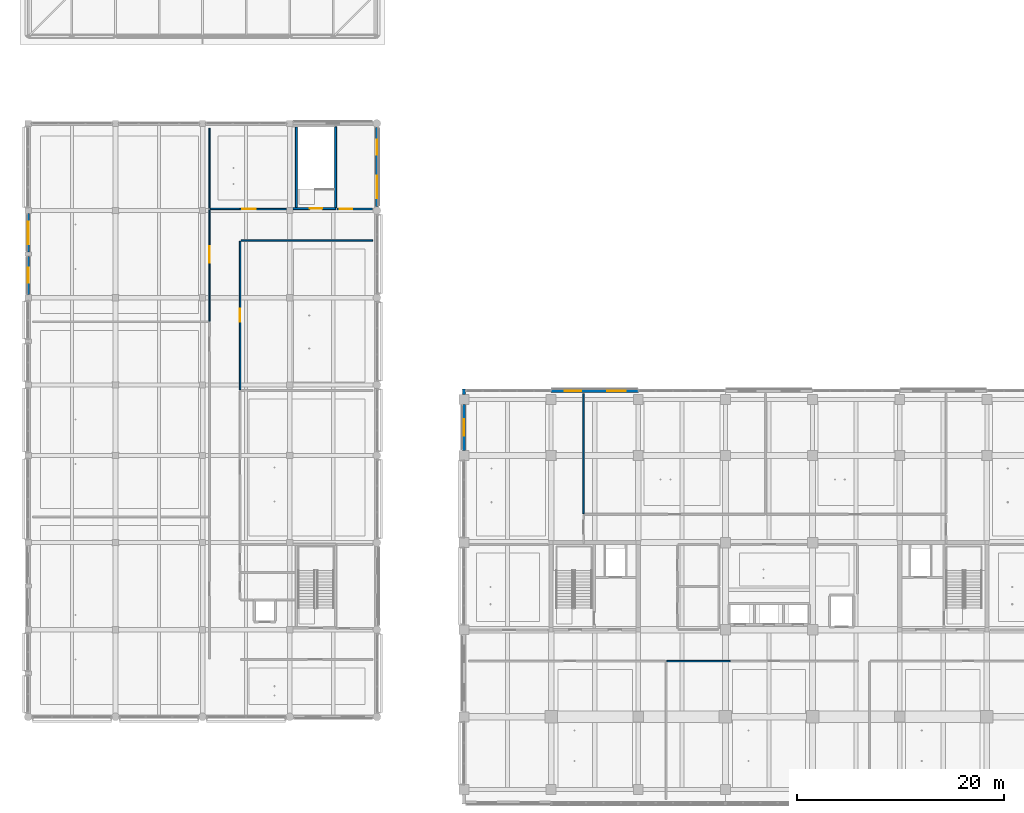
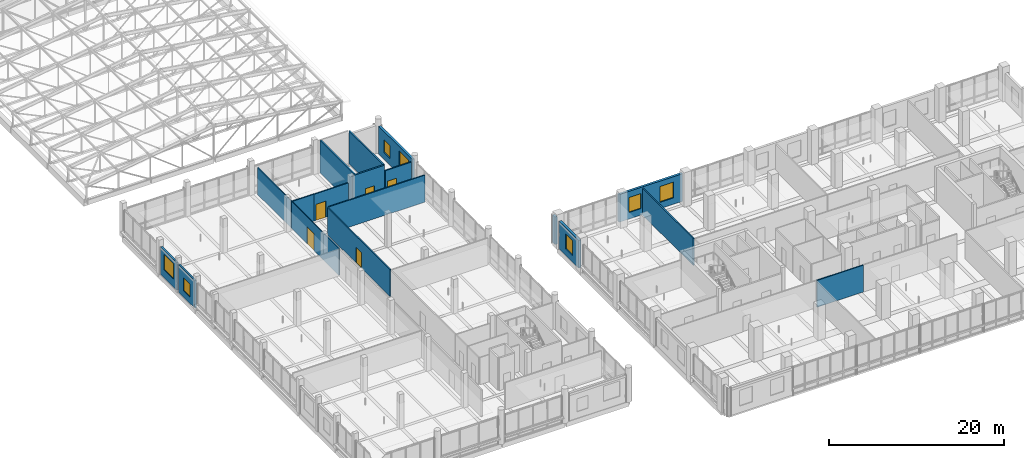
# One storey, part 55 of 122: 18 walls, 7 windows, 5 doors, 12 openings.
"""IFC4 building model written with IfcOpenShell, lengths in metres."""

import ifcopenshell
import ifcopenshell.guid

model = None  # the IFC model being written
_history = None  # IfcOwnerHistory: only IFC2X3 demands one
_inside = {}  # id of a spatial element -> (the spatial element, [elements in it])
_under = {}  # id of a project, library or spatial element -> (it, [spatial elements below it])
_declared = {}  # id of a project -> (the project, [libraries it declares])
_typed = {}  # id of a type object -> (the type object, [elements of that type])
_made_of = {}  # id of a material, layer set ... -> (it, [elements and type objects made of it])


def new_model(schema):
    """Start an empty IFC model of exactly this schema.

    Asked for "IFC4X3", IfcOpenShell would pick the latest addendum, in which some entities
    have other attributes; the version numbers below select the first issue.
    IFC2X3 requires an IfcOwnerHistory on every rooted entity: one is made here for all.
    """
    global model, _history
    if schema == "IFC4X3":
        model = ifcopenshell.file(schema_version=(4, 3, 0, 0))
    else:
        model = ifcopenshell.file(schema=schema)
    _inside.clear()
    _under.clear()
    _declared.clear()
    _typed.clear()
    _made_of.clear()
    _history = None
    if model.schema == "IFC2X3":
        org = make("IfcOrganization", Name="unknown")
        user = make(
            "IfcPersonAndOrganization",
            ThePerson=make("IfcPerson", FamilyName="unknown"),
            TheOrganization=org,
        )
        app = make(
            "IfcApplication",
            ApplicationDeveloper=org,
            Version="unknown",
            ApplicationFullName="unknown",
            ApplicationIdentifier="unknown",
        )
        _history = make(
            "IfcOwnerHistory",
            OwningUser=user,
            OwningApplication=app,
            ChangeAction="ADDED",
            CreationDate=0,
        )
    return model


def make(cls, **values):
    """One entity of the class cls with the attributes given. An attribute that is None is left unset."""
    return model.create_entity(
        cls, **{name: value for name, value in values.items() if value is not None}
    )


def rooted(cls, **values):
    """An entity with a GlobalId (a new one), such as an element, a storey or a relation."""
    return make(cls, GlobalId=ifcopenshell.guid.new(), OwnerHistory=_history, **values)


def si_unit(unit_type, name, prefix=None):
    """IfcSIUnit, for example si_unit("LENGTHUNIT", "METRE", prefix="MILLI")."""
    return make("IfcSIUnit", UnitType=unit_type, Prefix=prefix, Name=name)


def assignment(units):
    """IfcUnitAssignment: the units of a project."""
    return None if units is None else make("IfcUnitAssignment", Units=units)


def point(xyz):
    """IfcCartesianPoint."""
    return None if xyz is None else make("IfcCartesianPoint", Coordinates=xyz)


def direction(xyz):
    """IfcDirection."""
    return None if xyz is None else make("IfcDirection", DirectionRatios=xyz)


def frame(location, z_axis=None, x_axis=None):
    """IfcAxis2Placement3D, a coordinate frame: its origin and axes. An axis left out is left unset."""
    return make(
        "IfcAxis2Placement3D",
        Location=point(location),
        Axis=direction(z_axis),
        RefDirection=direction(x_axis),
    )


def frame_2d(location, x_axis=None):
    """IfcAxis2Placement2D, a coordinate frame in the plane: its origin and x axis."""
    return make(
        "IfcAxis2Placement2D", Location=point(location), RefDirection=direction(x_axis)
    )


def origin():
    """The frame at (0, 0, 0) with its axes left unset."""
    return frame((0.0, 0.0, 0.0))


def place(relative_to, where):
    """IfcLocalPlacement: puts the frame where relative to a parent placement (None: the world)."""
    return make(
        "IfcLocalPlacement", PlacementRelTo=relative_to, RelativePlacement=where
    )


def context(
    kind, dimensions, precision=None, world=None, true_north=None, identifier=None
):
    """IfcGeometricRepresentationContext, for example the 3D "Model" context."""
    return make(
        "IfcGeometricRepresentationContext",
        ContextIdentifier=identifier,
        ContextType=kind,
        CoordinateSpaceDimension=dimensions,
        Precision=precision,
        WorldCoordinateSystem=world,
        TrueNorth=true_north,
    )


def subcontext(parent, identifier, kind, view, scale=None):
    """IfcGeometricRepresentationSubContext, for example "Body" below "Model"."""
    return make(
        "IfcGeometricRepresentationSubContext",
        ContextIdentifier=identifier,
        ContextType=kind,
        ParentContext=parent,
        TargetScale=scale,
        TargetView=view,
    )


def project(units=None, contexts=None):
    """IfcProject with its units and contexts."""
    return rooted(
        "IfcProject",
        Name="project",
        RepresentationContexts=contexts,
        UnitsInContext=assignment(units),
    )


def spatial(cls, under=None, at=None, **own):
    """A site, building, storey or space (cls), placed at a placement, below another one or the project."""
    s = rooted(cls, ObjectPlacement=at, **own)
    if under is not None:
        _under.setdefault(under.id(), (under, []))[1].append(s)
    return s


def profile(cls, at=None, kind="AREA", **sizes):
    """A parametric profile (cls). Its sizes go by their IFC names, for example OverallWidth=200.0."""
    return make(cls, ProfileType=kind, Position=at, **sizes)


def rectangle(**sizes):
    """IfcRectangleProfileDef."""
    return profile("IfcRectangleProfileDef", **sizes)


def extrude(swept, where, along, depth):
    """IfcExtrudedAreaSolid: the profile swept, set in the frame where, extruded along a direction by depth."""
    return make(
        "IfcExtrudedAreaSolid",
        SweptArea=swept,
        Position=where,
        ExtrudedDirection=direction(along),
        Depth=depth,
    )


def shape(context_of_items, identifier, shape_type, items):
    """IfcShapeRepresentation: the items that make up one representation, for example the "Body"."""
    return make(
        "IfcShapeRepresentation",
        ContextOfItems=context_of_items,
        RepresentationIdentifier=identifier,
        RepresentationType=shape_type,
        Items=items,
    )


def material(Name=None, Category=None):
    """IfcMaterial."""
    return make("IfcMaterial", Name=Name, Category=Category)


def layer(
    of_material, thickness, ventilated=None, Name=None, Category=None, Priority=None
):
    """IfcMaterialLayer: one layer of a wall or slab, of a material (None: an air gap)."""
    return make(
        "IfcMaterialLayer",
        Material=of_material,
        LayerThickness=thickness,
        IsVentilated=ventilated,
        Name=Name,
        Category=Category,
        Priority=Priority,
    )


def layer_set(layers, Name=None):
    """IfcMaterialLayerSet."""
    return make("IfcMaterialLayerSet", MaterialLayers=layers, LayerSetName=Name)


def made_of(thing, what):
    """Note that an element or type object is made of a material, layer set ...; save() writes the relation."""
    if what is not None:
        _made_of.setdefault(what.id(), (what, []))[1].append(thing)
    return thing


def type_object(cls, material=None, **own):
    """A type object (cls), such as IfcWallType, which elements share."""
    return made_of(rooted(cls, **own), material)


def element(
    cls,
    number,
    at=None,
    inside=None,
    cuts=None,
    type_object=None,
    material=None,
    context=None,
    identifier="Body",
    shape_type=None,
    held_by="IfcProductDefinitionShape",
    body=None,
    shapes=None,
    **own,
):
    """One element of the class cls, such as IfcWall. Its Tag is "e" and its number.

    at: its placement. inside: the storey or other place that contains it. cuts: it is an
    opening in that element (IfcRelVoidsElement). A single representation is given by context,
    identifier, shape_type and body (its items); several are given by shapes. held_by: the class
    of the entity that holds the representations. save() writes the other relations.
    """
    e = rooted(cls, Tag="e%d" % number, ObjectPlacement=at, **own)
    if body is not None:
        shapes = [shape(context, identifier, shape_type, body)]
    if shapes is not None:
        e.Representation = make(held_by, Representations=shapes)
    if inside is not None:
        _inside.setdefault(inside.id(), (inside, []))[1].append(e)
    if cuts is not None:
        rooted(
            "IfcRelVoidsElement", RelatingBuildingElement=cuts, RelatedOpeningElement=e
        )
    if type_object is not None:
        _typed.setdefault(type_object.id(), (type_object, []))[1].append(e)
    return made_of(e, material)


def fill(opening, filler):
    """IfcRelFillsElement: the door or window that sits in an opening."""
    return rooted(
        "IfcRelFillsElement",
        RelatingOpeningElement=opening,
        RelatedBuildingElement=filler,
    )


def aggregate(whole, parts):
    """IfcRelAggregates: a whole, such as a stair, and the parts it consists of."""
    return rooted("IfcRelAggregates", RelatingObject=whole, RelatedObjects=parts)


def save(model, path):
    """Write the relations noted so far, then the file.

    IfcRelAggregates (storeys below a building ...), IfcRelContainedInSpatialStructure (elements
    in a storey), IfcRelDefinesByType, IfcRelAssociatesMaterial and IfcRelDeclares: one each for
    every whole, place, type object, material and project.
    """
    for whole, parts in _under.values():
        aggregate(whole, parts)
    for where, things in _inside.values():
        rooted(
            "IfcRelContainedInSpatialStructure",
            RelatedElements=things,
            RelatingStructure=where,
        )
    for kind, things in _typed.values():
        rooted("IfcRelDefinesByType", RelatedObjects=things, RelatingType=kind)
    for what, things in _made_of.values():
        rooted("IfcRelAssociatesMaterial", RelatedObjects=things, RelatingMaterial=what)
    for by, libraries in _declared.values():
        rooted("IfcRelDeclares", RelatingContext=by, RelatedDefinitions=libraries)
    model.write(path)


model = new_model("IFC4")

# Units and contexts
model_context = context("Model", 3, precision=1e-05, world=origin(), true_north=direction((0.0, 1.0)))
body_context = subcontext(model_context, "Body", "Model", "MODEL_VIEW")
ifc_project = project(units=[si_unit("LENGTHUNIT", "METRE"), si_unit("AREAUNIT", "SQUARE_METRE"), si_unit("VOLUMEUNIT", "CUBIC_METRE"), si_unit("PLANEANGLEUNIT", "RADIAN"), si_unit("MASSUNIT", "GRAM", prefix="KILO")], contexts=[model_context])

# Site, building, storey
site_placement = place(None, origin())
site = spatial("IfcSite", under=ifc_project, at=site_placement, CompositionType="ELEMENT")
building_placement = place(site_placement, origin())
building = spatial("IfcBuilding", under=site, at=building_placement, Name="Telukmera Botanical Conservatory", CompositionType="ELEMENT")
storey_placement = place(building_placement, frame((0.0, 0.0, 10.199951171875)))
storey = spatial("IfcBuildingStorey", under=building, at=storey_placement, Name="L02", CompositionType="ELEMENT", Elevation=10.199951171875)

# Wall, openings, windows
ifc_material_1 = material(Name="Terracotta-faced precast concrete C40/50", Category="masonry")
ifc_layer_1 = layer(ifc_material_1, 0.300048828125)
ifc_layer_set_1 = layer_set([ifc_layer_1], Name="Terracotta-faced precast concrete C40/50")
wall_type_1 = type_object("IfcWallType", Name="Exterior Polychrome Terracotta Precast Wall 300", PredefinedType="SOLIDWALL", material=ifc_layer_set_1)
wall_1_placement = place(storey_placement, frame((42.0, 66.777099609375, 0.0), z_axis=(0.0, 0.0, 1.0), x_axis=(0.0, 1.0, 0.0)))
wall_1 = element("IfcWall", 1, at=wall_1_placement, inside=storey, type_object=wall_type_1, Name="Exterior Precast Wall EW02 V3:L02:E7", PredefinedType="SOLIDWALL", context=body_context, shape_type="SweptSolid", body=[
    extrude(rectangle(XDim=7.64599609375, YDim=0.300048828125, at=frame_2d((3.822998046875, 0.0))), origin(), (0.0, 0.0, 1.0), 3.85009765625),
])
opening_1_placement = place(wall_1_placement, frame((0.83642578125, 0.0, 1.10009765625)))
opening_1 = element("IfcOpeningElement", 2, at=opening_1_placement, cuts=wall_1, Name="Opening W15", PredefinedType="OPENING", context=body_context, shape_type="SweptSolid", body=[
    extrude(rectangle(XDim=2.14990234375, YDim=2.14990234375, at=frame_2d((1.074951171875, 1.074951171875))), frame((0.0, 0.159912109375, 0.0), z_axis=(0.0, -1.0, 0.0), x_axis=(1.0, 0.0, 0.0)), (0.0, 0.0, 1.0), 0.320068359375),
])
opening_2_placement = place(wall_1_placement, frame((5.009521484375, 0.0, 0.89990234375)))
opening_2 = element("IfcOpeningElement", 3, at=opening_2_placement, cuts=wall_1, Name="Opening W09", PredefinedType="OPENING", context=body_context, shape_type="SweptSolid", body=[
    extrude(rectangle(XDim=1.449951171875, YDim=1.800048828125, at=frame_2d((0.72509765625, 0.89990234375))), frame((0.0, 0.159912109375, 0.0), z_axis=(0.0, -1.0, 0.0), x_axis=(1.0, 0.0, 0.0)), (0.0, 0.0, 1.0), 0.320068359375),
])
ifc_material_2 = material(Name="Thermally broken anodised aluminium frame with low-E double glazing", Category="aluminium")
window_type_1 = type_object("IfcWindowType", Name="Double Horizontal Transom Studio Window 1450x1800", PartitioningType="DOUBLE_PANEL_HORIZONTAL", PredefinedType="WINDOW", material=ifc_material_2)
window_1_placement = place(opening_2_placement, origin())
window_1 = element("IfcWindow", 4, at=window_1_placement, inside=storey, type_object=window_type_1, Name="Facade Window W09 V3:L02:E7 2", OverallHeight=1.800048828125, OverallWidth=1.449951171875, PartitioningType="DOUBLE_PANEL_HORIZONTAL", PredefinedType="WINDOW", context=body_context, shape_type="SweptSolid", body=[
    extrude(rectangle(XDim=1.449951171875, YDim=1.800048828125, at=frame_2d((0.72509765625, 0.89990234375))), frame((0.0, 0.030029296875, 0.0), z_axis=(0.0, -1.0, 0.0), x_axis=(1.0, 0.0, 0.0)), (0.0, 0.0, 1.0), 0.06005859375),
])
fill(opening_2, window_1)
window_type_2 = type_object("IfcWindowType", Name="Triple Vertical Botanical Gallery Window 2150x2150", PartitioningType="TRIPLE_PANEL_VERTICAL", PredefinedType="WINDOW", material=ifc_material_2)
window_2_placement = place(opening_1_placement, origin())
window_2 = element("IfcWindow", 5, at=window_2_placement, inside=storey, type_object=window_type_2, Name="Facade Window W15 V3:L02:E7 1", OverallHeight=2.14990234375, OverallWidth=2.14990234375, PartitioningType="TRIPLE_PANEL_VERTICAL", PredefinedType="WINDOW", context=body_context, shape_type="SweptSolid", body=[
    extrude(rectangle(XDim=2.14990234375, YDim=2.14990234375, at=frame_2d((1.074951171875, 1.074951171875))), frame((0.0, 0.030029296875, 0.0), z_axis=(0.0, -1.0, 0.0), x_axis=(1.0, 0.0, 0.0)), (0.0, 0.0, 1.0), 0.06005859375),
])
fill(opening_1, window_2)

# Wall
wall_2_placement = place(storey_placement, frame((50.39990234375, 48.677001953125, 0.0), z_axis=(0.0, 0.0, 1.0), x_axis=(0.0, 1.0, 0.0)))
element("IfcWall", 6, at=wall_2_placement, inside=storey, type_object=wall_type_1, Name="Exterior Precast Wall EW02 V4:L02:NWC", PredefinedType="SOLIDWALL", context=body_context, shape_type="SweptSolid", body=[
    extrude(rectangle(XDim=0.52294921875, YDim=0.300048828125, at=frame_2d((0.261474609375, 0.0))), origin(), (0.0, 0.0, 1.0), 3.85009765625),
])

# Wall, openings, windows
wall_3_placement = place(storey_placement, frame((58.802001953125, 49.02001953125, 0.0), z_axis=(0.0, 0.0, 1.0), x_axis=(1.0, 0.0, 0.0)))
wall_3 = element("IfcWall", 7, at=wall_3_placement, inside=storey, type_object=wall_type_1, Name="Exterior Precast Wall EW02 V4:L02:N2", PredefinedType="SOLIDWALL", context=body_context, shape_type="SweptSolid", body=[
    extrude(rectangle(XDim=8.39599609375, YDim=0.300048828125, at=frame_2d((4.197998046875, 0.0))), origin(), (0.0, 0.0, 1.0), 3.85009765625),
])
opening_3_placement = place(wall_3_placement, frame((1.299072265625, 0.0, 0.89990234375)))
opening_3 = element("IfcOpeningElement", 8, at=opening_3_placement, cuts=wall_3, Name="Opening W07", PredefinedType="OPENING", context=body_context, shape_type="SweptSolid", body=[
    extrude(rectangle(XDim=1.60009765625, YDim=2.10009765625, at=frame_2d((0.800048828125, 1.050048828125))), frame((0.0, 0.159912109375, 0.0), z_axis=(0.0, -1.0, 0.0), x_axis=(1.0, 0.0, 0.0)), (0.0, 0.0, 1.0), 0.320068359375),
])
opening_4_placement = place(wall_3_placement, frame((5.422119140625, 0.0, 0.89990234375)))
opening_4 = element("IfcOpeningElement", 9, at=opening_4_placement, cuts=wall_3, Name="Opening W08", PredefinedType="OPENING", context=body_context, shape_type="SweptSolid", body=[
    extrude(rectangle(XDim=1.75, YDim=2.199951171875, at=frame_2d((0.875, 1.10009765625))), frame((0.0, 0.159912109375, 0.0), z_axis=(0.0, -1.0, 0.0), x_axis=(1.0, 0.0, 0.0)), (0.0, 0.0, 1.0), 0.320068359375),
])
window_type_3 = type_object("IfcWindowType", Name="Double Vertical Curation Study Window 1600x2100", PartitioningType="DOUBLE_PANEL_VERTICAL", PredefinedType="WINDOW", material=ifc_material_2)
window_3_placement = place(opening_3_placement, origin())
window_3 = element("IfcWindow", 10, at=window_3_placement, inside=storey, type_object=window_type_3, Name="Facade Window W07 V4:L02:N2 1", OverallHeight=2.10009765625, OverallWidth=1.60009765625, PartitioningType="DOUBLE_PANEL_VERTICAL", PredefinedType="WINDOW", context=body_context, shape_type="SweptSolid", body=[
    extrude(rectangle(XDim=1.60009765625, YDim=2.10009765625, at=frame_2d((0.800048828125, 1.050048828125))), frame((0.0, 0.030029296875, 0.0), z_axis=(0.0, -1.0, 0.0), x_axis=(1.0, 0.0, 0.0)), (0.0, 0.0, 1.0), 0.06005859375),
])
fill(opening_3, window_3)
window_type_4 = type_object("IfcWindowType", Name="Double Vertical Library Reading Window 1750x2200", PartitioningType="DOUBLE_PANEL_VERTICAL", PredefinedType="WINDOW", material=ifc_material_2)
window_4_placement = place(opening_4_placement, origin())
window_4 = element("IfcWindow", 11, at=window_4_placement, inside=storey, type_object=window_type_4, Name="Facade Window W08 V4:L02:N2 2", OverallHeight=2.199951171875, OverallWidth=1.75, PartitioningType="DOUBLE_PANEL_VERTICAL", PredefinedType="WINDOW", context=body_context, shape_type="SweptSolid", body=[
    extrude(rectangle(XDim=1.75, YDim=2.199951171875, at=frame_2d((0.875, 1.10009765625))), frame((0.0, 0.030029296875, 0.0), z_axis=(0.0, -1.0, 0.0), x_axis=(1.0, 0.0, 0.0)), (0.0, 0.0, 1.0), 0.06005859375),
])
fill(opening_4, window_4)

# Wall, opening, window
wall_4_placement = place(storey_placement, frame((50.39990234375, 43.277099609375, 0.0), z_axis=(0.0, 0.0, 1.0), x_axis=(0.0, 1.0, 0.0)))
wall_4 = element("IfcWall", 12, at=wall_4_placement, inside=storey, type_object=wall_type_1, Name="Exterior Precast Wall EW02 V4:L02:W5", PredefinedType="SOLIDWALL", context=body_context, shape_type="SweptSolid", body=[
    extrude(rectangle(XDim=4.44580078125, YDim=0.300048828125, at=frame_2d((2.222900390625, 0.0))), origin(), (0.0, 0.0, 1.0), 3.85009765625),
])
opening_5_placement = place(wall_4_placement, frame((1.423095703125, 0.0, 0.89990234375)))
opening_5 = element("IfcOpeningElement", 13, at=opening_5_placement, cuts=wall_4, Name="Opening W07", PredefinedType="OPENING", context=body_context, shape_type="SweptSolid", body=[
    extrude(rectangle(XDim=1.60009765625, YDim=2.10009765625, at=frame_2d((0.800048828125, 1.050048828125))), frame((0.0, 0.159912109375, 0.0), z_axis=(0.0, -1.0, 0.0), x_axis=(1.0, 0.0, 0.0)), (0.0, 0.0, 1.0), 0.320068359375),
])
window_5_placement = place(opening_5_placement, origin())
window_5 = element("IfcWindow", 14, at=window_5_placement, inside=storey, type_object=window_type_3, Name="Facade Window W07 V4:L02:W5", OverallHeight=2.10009765625, OverallWidth=1.60009765625, PartitioningType="DOUBLE_PANEL_VERTICAL", PredefinedType="WINDOW", context=body_context, shape_type="SweptSolid", body=[
    extrude(rectangle(XDim=1.60009765625, YDim=2.10009765625, at=frame_2d((0.800048828125, 1.050048828125))), frame((0.0, 0.030029296875, 0.0), z_axis=(0.0, -1.0, 0.0), x_axis=(1.0, 0.0, 0.0)), (0.0, 0.0, 1.0), 0.06005859375),
])
fill(opening_5, window_5)

ifc_layer_2 = layer(ifc_material_1, 0.219970703125)
ifc_layer_set_2 = layer_set([ifc_layer_2], Name="Terracotta-faced precast concrete C40/50")
wall_type_2 = type_object("IfcWallType", Name="Exterior Terracotta Rainscreen Cladding Wall 220", PredefinedType="USERDEFINED", material=ifc_layer_set_2)
wall_5_placement = place(storey_placement, frame((8.39990234375, 58.302001953125, 0.0), z_axis=(0.0, 0.0, 1.0), x_axis=(0.0, 1.0, 0.0)))
wall_5 = element("IfcWall", 15, at=wall_5_placement, inside=storey, type_object=wall_type_2, Name="Exterior Precast Wall EW07 V3:L02:W6A", ObjectType="CLADDING", PredefinedType="USERDEFINED", context=body_context, shape_type="SweptSolid", body=[
    extrude(rectangle(XDim=3.696044921875, YDim=0.219970703125, at=frame_2d((1.84814453125, 0.0))), origin(), (0.0, 0.0, 1.0), 3.85009765625),
])
opening_6_placement = place(wall_5_placement, frame((1.123046875, 0.0, 0.89990234375)))
opening_6 = element("IfcOpeningElement", 16, at=opening_6_placement, cuts=wall_5, Name="Opening W09", PredefinedType="OPENING", context=body_context, shape_type="SweptSolid", body=[
    extrude(rectangle(XDim=1.449951171875, YDim=1.800048828125, at=frame_2d((0.72509765625, 0.89990234375))), frame((0.0, 0.119873046875, 0.0), z_axis=(0.0, -1.0, 0.0), x_axis=(1.0, 0.0, 0.0)), (0.0, 0.0, 1.0), 0.239990234375),
])
window_6_placement = place(opening_6_placement, origin())
window_6 = element("IfcWindow", 17, at=window_6_placement, inside=storey, type_object=window_type_1, Name="Facade Window W09 V3:L02:W6A", OverallHeight=1.800048828125, OverallWidth=1.449951171875, PartitioningType="DOUBLE_PANEL_HORIZONTAL", PredefinedType="WINDOW", context=body_context, shape_type="SweptSolid", body=[
    extrude(rectangle(XDim=1.449951171875, YDim=1.800048828125, at=frame_2d((0.72509765625, 0.89990234375))), frame((0.0, 0.030029296875, 0.0), z_axis=(0.0, -1.0, 0.0), x_axis=(1.0, 0.0, 0.0)), (0.0, 0.0, 1.0), 0.06005859375),
])
fill(opening_6, window_6)

wall_6_placement = place(storey_placement, frame((8.39990234375, 62.402099609375, 0.0), z_axis=(0.0, 0.0, 1.0), x_axis=(0.0, 1.0, 0.0)))
wall_6 = element("IfcWall", 18, at=wall_6_placement, inside=storey, type_object=wall_type_2, Name="Exterior Precast Wall EW07 V3:L02:W6B", ObjectType="CLADDING", PredefinedType="USERDEFINED", context=body_context, shape_type="SweptSolid", body=[
    extrude(rectangle(XDim=3.69580078125, YDim=0.219970703125, at=frame_2d((1.847900390625, 0.0))), origin(), (0.0, 0.0, 1.0), 3.85009765625),
])
opening_7_placement = place(wall_6_placement, frame((0.77294921875, 0.0, 1.10009765625)))
opening_7 = element("IfcOpeningElement", 19, at=opening_7_placement, cuts=wall_6, Name="Opening W15", PredefinedType="OPENING", context=body_context, shape_type="SweptSolid", body=[
    extrude(rectangle(XDim=2.14990234375, YDim=2.14990234375, at=frame_2d((1.074951171875, 1.074951171875))), frame((0.0, 0.119873046875, 0.0), z_axis=(0.0, -1.0, 0.0), x_axis=(1.0, 0.0, 0.0)), (0.0, 0.0, 1.0), 0.239990234375),
])
window_7_placement = place(opening_7_placement, origin())
window_7 = element("IfcWindow", 20, at=window_7_placement, inside=storey, type_object=window_type_2, Name="Facade Window W15 V3:L02:W6B", OverallHeight=2.14990234375, OverallWidth=2.14990234375, PartitioningType="TRIPLE_PANEL_VERTICAL", PredefinedType="WINDOW", context=body_context, shape_type="SweptSolid", body=[
    extrude(rectangle(XDim=2.14990234375, YDim=2.14990234375, at=frame_2d((1.074951171875, 1.074951171875))), frame((0.0, 0.030029296875, 0.0), z_axis=(0.0, -1.0, 0.0), x_axis=(1.0, 0.0, 0.0)), (0.0, 0.0, 1.0), 0.06005859375),
])
fill(opening_7, window_7)

# Wall, opening, door
ifc_material_3 = material(Name="Aluminium framed acoustic glass", Category="aluminium")
ifc_layer_3 = layer(ifc_material_3, 0.1201171875)
ifc_layer_set_3 = layer_set([ifc_layer_3], Name="Aluminium framed acoustic glass")
wall_type_3 = type_object("IfcWallType", Name="WT-GLAZ-120", PredefinedType="PARTITIONING", material=ifc_layer_set_3)
wall_7_placement = place(storey_placement, frame((25.875, 55.75, 0.0), z_axis=(0.0, 0.0, 1.0), x_axis=(0.0, 1.0, 0.0)))
wall_7 = element("IfcWall", 21, at=wall_7_placement, inside=storey, type_object=wall_type_3, Name="L02 Interior Partition 10", PredefinedType="PARTITIONING", context=body_context, shape_type="SweptSolid", body=[
    extrude(rectangle(XDim=10.75, YDim=0.1201171875, at=frame_2d((5.375, 0.0))), origin(), (0.0, 0.0, 1.0), 3.75),
])
opening_8_placement = place(wall_7_placement, frame((5.618896484375, 0.0, 0.0)))
opening_8 = element("IfcOpeningElement", 22, at=opening_8_placement, cuts=wall_7, Name="Opening ID03", PredefinedType="OPENING", context=body_context, shape_type="SweptSolid", body=[
    extrude(rectangle(XDim=1.60009765625, YDim=2.35009765625, at=frame_2d((0.800048828125, 1.175048828125))), frame((0.0, 0.070068359375, 0.0), z_axis=(0.0, -1.0, 0.0), x_axis=(1.0, 0.0, 0.0)), (0.0, 0.0, 1.0), 0.14013671875),
])
ifc_material_4 = material(Name="Anodised aluminium glazed double door", Category="aluminium")
door_type_1 = type_object("IfcDoorType", Name="DT-GAL-160", OperationType="NOTDEFINED", PredefinedType="DOOR", material=ifc_material_4)
door_1_placement = place(opening_8_placement, origin())
door_1 = element("IfcDoor", 23, at=door_1_placement, inside=storey, type_object=door_type_1, Name="L02 Visitor Centre Reference Gallery Door", OperationType="SINGLE_SWING_LEFT", OverallHeight=2.35009765625, OverallWidth=1.60009765625, PredefinedType="DOOR", context=body_context, shape_type="SweptSolid", body=[
    extrude(rectangle(XDim=1.60009765625, YDim=2.35009765625, at=frame_2d((0.800048828125, 1.175048828125))), frame((0.0, 0.02490234375, 0.0), z_axis=(0.0, -1.0, 0.0), x_axis=(1.0, 0.0, 0.0)), (0.0, 0.0, 1.0), 0.050048828125),
])
fill(opening_8, door_1)

# Walls
wall_8_placement = place(storey_placement, frame((25.875, 66.64990234375, 0.0), z_axis=(0.0, 0.0, 1.0), x_axis=(0.0, 1.0, 0.0)))
element("IfcWall", 24, at=wall_8_placement, inside=storey, type_object=wall_type_3, Name="L02 Interior Partition 19", PredefinedType="PARTITIONING", context=body_context, shape_type="SweptSolid", body=[
    extrude(rectangle(XDim=7.7001953125, YDim=0.1201171875, at=frame_2d((3.85009765625, 0.0))), origin(), (0.0, 0.0, 1.0), 3.75),
])
ifc_material_5 = material(Name="Gypsum acoustic stud partition")
ifc_layer_4 = layer(ifc_material_5, 0.159912109375)
ifc_layer_set_4 = layer_set([ifc_layer_4], Name="Gypsum acoustic stud partition")
wall_type_4 = type_object("IfcWallType", Name="WT-LAB-160", PredefinedType="PARTITIONING", material=ifc_layer_set_4)
wall_9_placement = place(storey_placement, frame((61.925048828125, 37.199951171875, 0.0), z_axis=(0.0, 0.0, 1.0), x_axis=(0.0, 1.0, 0.0)))
element("IfcWall", 25, at=wall_9_placement, inside=storey, type_object=wall_type_4, Name="L02 Interior Partition 44", PredefinedType="PARTITIONING", context=body_context, shape_type="SweptSolid", body=[
    extrude(rectangle(XDim=11.550048828125, YDim=0.159912109375, at=frame_2d((5.77490234375, 0.0))), origin(), (0.0, 0.0, 1.0), 3.75),
])

# Wall, opening, door
ifc_material_6 = material(Name="Blockwork masonry", Category="masonry")
ifc_layer_5 = layer(ifc_material_6, 0.169921875)
ifc_layer_set_5 = layer_set([ifc_layer_5], Name="Blockwork masonry")
wall_type_5 = type_object("IfcWallType", Name="WT-PLANT-170", PredefinedType="PARTITIONING", material=ifc_layer_set_5)
wall_10_placement = place(storey_placement, frame((38.14990234375, 66.550048828125, 0.0), z_axis=(0.0, 0.0, 1.0), x_axis=(1.0, 0.0, 0.0)))
wall_10 = element("IfcWall", 26, at=wall_10_placement, inside=storey, type_object=wall_type_5, Name="L02 Interior Partition 16", PredefinedType="PARTITIONING", context=body_context, shape_type="SweptSolid", body=[
    extrude(rectangle(XDim=3.445068359375, YDim=0.169921875, at=frame_2d((1.72265625, 0.0))), origin(), (0.0, 0.0, 1.0), 3.75),
])
opening_9_placement = place(wall_10_placement, frame((0.25, 0.0, 0.0)))
opening_9 = element("IfcOpeningElement", 27, at=opening_9_placement, cuts=wall_10, Name="Opening ID08", PredefinedType="OPENING", context=body_context, shape_type="SweptSolid", body=[
    extrude(rectangle(XDim=1.239990234375, YDim=2.199951171875, at=frame_2d((0.6201171875, 1.10009765625))), frame((0.0, 0.094970703125, 0.0), z_axis=(0.0, -1.0, 0.0), x_axis=(1.0, 0.0, 0.0)), (0.0, 0.0, 1.0), 0.18994140625),
])
ifc_material_7 = material(Name="Solid core hardwood classroom door", Category="wood")
door_type_2 = type_object("IfcDoorType", Name="DT-CLS-124", OperationType="NOTDEFINED", PredefinedType="DOOR", material=ifc_material_7)
door_2_placement = place(opening_9_placement, origin())
door_2 = element("IfcDoor", 28, at=door_2_placement, inside=storey, type_object=door_type_2, Name="L02 Teaching Apparatus Store Door", OperationType="SINGLE_SWING_RIGHT", OverallHeight=2.199951171875, OverallWidth=1.239990234375, PredefinedType="DOOR", context=body_context, shape_type="SweptSolid", body=[
    extrude(rectangle(XDim=1.239990234375, YDim=2.199951171875, at=frame_2d((0.6201171875, 1.10009765625))), frame((0.0, 0.02490234375, 0.0), z_axis=(0.0, -1.0, 0.0), x_axis=(1.0, 0.0, 0.0)), (0.0, 0.0, 1.0), 0.050048828125),
])
fill(opening_9, door_2)

ifc_material_8 = material(Name="Concrete C40/50", Category="concrete")
ifc_layer_6 = layer(ifc_material_8, 0.18994140625)
ifc_layer_set_6 = layer_set([ifc_layer_6], Name="Concrete C40/50")
wall_type_6 = type_object("IfcWallType", Name="WT-STAIR-190", PredefinedType="SOLIDWALL", material=ifc_layer_set_6)
wall_11_placement = place(storey_placement, frame((33.89990234375, 66.580078125, 0.0), z_axis=(0.0, 0.0, 1.0), x_axis=(1.0, 0.0, 0.0)))
wall_11 = element("IfcWall", 29, at=wall_11_placement, inside=storey, type_object=wall_type_6, Name="L02 Stair ST4 South Wall", PredefinedType="SOLIDWALL", context=body_context, shape_type="SweptSolid", body=[
    extrude(rectangle(XDim=4.130126953125, YDim=0.18994140625, at=frame_2d((2.06494140625, 0.0))), origin(), (0.0, 0.0, 1.0), 4.550048828125),
])
opening_10_placement = place(wall_11_placement, frame((1.64990234375, 0.0, 0.0)))
opening_10 = element("IfcOpeningElement", 30, at=opening_10_placement, cuts=wall_11, Name="Opening FD60D", PredefinedType="OPENING", context=body_context, shape_type="SweptSolid", body=[
    extrude(rectangle(XDim=1.179931640625, YDim=2.14990234375, at=frame_2d((0.58984375, 1.074951171875))), frame((0.0, 0.10498046875, 0.0), z_axis=(0.0, -1.0, 0.0), x_axis=(1.0, 0.0, 0.0)), (0.0, 0.0, 1.0), 0.2099609375),
])
ifc_material_9 = material(Name="Hardwood fire door", Category="wood")
door_type_3 = type_object("IfcDoorType", Name="DT-FD60-04", OperationType="NOTDEFINED", PredefinedType="DOOR", material=ifc_material_9)
door_3_placement = place(opening_10_placement, origin())
door_3 = element("IfcDoor", 31, at=door_3_placement, inside=storey, type_object=door_type_3, Name="L02 Stair ST4 Escape Door", OperationType="SINGLE_SWING_LEFT", OverallHeight=2.14990234375, OverallWidth=1.179931640625, PredefinedType="DOOR", context=body_context, shape_type="SweptSolid", body=[
    extrude(rectangle(XDim=1.179931640625, YDim=2.14990234375, at=frame_2d((0.58984375, 1.074951171875))), frame((0.0, 0.02490234375, 0.0), z_axis=(0.0, -1.0, 0.0), x_axis=(1.0, 0.0, 0.0)), (0.0, 0.0, 1.0), 0.050048828125),
])
fill(opening_10, door_3)

# Walls
for number, where, z_axis, x_axis, name in (
    (32, (34.25, 66.679931640625, 0.0), (0.0, 0.0, 1.0), (0.0, 1.0, 0.0), "L02 Stair ST4 W Wall"),
    (33, (38.030029296875, 66.679931640625, 0.0), (0.0, 0.0, 1.0), (0.0, 1.0, 0.0), "L02 Stair ST4 E Wall"),
):
    element("IfcWall", number, at=place(storey_placement, frame(where, z_axis=z_axis, x_axis=x_axis)), inside=storey, type_object=wall_type_6, Name=name, PredefinedType="SOLIDWALL", context=body_context, shape_type="SweptSolid", body=[
        extrude(rectangle(XDim=7.780029296875, YDim=0.18994140625, at=frame_2d((3.89013671875, 0.0))), origin(), (0.0, 0.0, 1.0), 4.550048828125),
    ])

# Wall, opening, door
ifc_layer_7 = layer(ifc_material_5, 0.14990234375)
ifc_layer_set_7 = layer_set([ifc_layer_7], Name="Gypsum acoustic stud partition")
wall_type_7 = type_object("IfcWallType", Name="WT-STD-150", PredefinedType="PARTITIONING", material=ifc_layer_set_7)
wall_12_placement = place(storey_placement, frame((28.824951171875, 49.14990234375, 0.0), z_axis=(0.0, 0.0, 1.0), x_axis=(0.0, 1.0, 0.0)))
wall_12 = element("IfcWall", 34, at=wall_12_placement, inside=storey, type_object=wall_type_7, Name="L02 Interior Partition 12", PredefinedType="PARTITIONING", context=body_context, shape_type="SweptSolid", body=[
    extrude(rectangle(XDim=14.300048828125, YDim=0.14990234375, at=frame_2d((7.14990234375, 0.0))), origin(), (0.0, 0.0, 1.0), 3.75),
])
opening_11_placement = place(wall_12_placement, frame((6.530029296875, 0.0, 0.0)))
opening_11 = element("IfcOpeningElement", 35, at=opening_11_placement, cuts=wall_12, Name="Opening ID08", PredefinedType="OPENING", context=body_context, shape_type="SweptSolid", body=[
    extrude(rectangle(XDim=1.239990234375, YDim=2.199951171875, at=frame_2d((0.6201171875, 1.10009765625))), frame((0.0, 0.0849609375, 0.0), z_axis=(0.0, -1.0, 0.0), x_axis=(1.0, 0.0, 0.0)), (0.0, 0.0, 1.0), 0.169921875),
])
door_4_placement = place(opening_11_placement, frame((1.239990234375, 0.0, 0.0), z_axis=(0.0, 0.0, 1.0), x_axis=(-1.0, 0.0, 0.0)))
door_4 = element("IfcDoor", 36, at=door_4_placement, inside=storey, type_object=door_type_2, Name="L02 Digital Herbarium Learning Studio Door", OperationType="SINGLE_SWING_RIGHT", OverallHeight=2.199951171875, OverallWidth=1.239990234375, PredefinedType="DOOR", context=body_context, shape_type="SweptSolid", body=[
    extrude(rectangle(XDim=1.239990234375, YDim=2.199951171875, at=frame_2d((0.6201171875, 1.10009765625))), frame((0.0, 0.02490234375, 0.0), z_axis=(0.0, -1.0, 0.0), x_axis=(1.0, 0.0, 0.0)), (0.0, 0.0, 1.0), 0.050048828125),
])
fill(opening_11, door_4)

# Walls
wall_13_placement = place(storey_placement, frame((25.949951171875, 66.574951171875, 0.0), z_axis=(0.0, 0.0, 1.0), x_axis=(1.0, 0.0, 0.0)))
element("IfcWall", 37, at=wall_13_placement, inside=storey, type_object=wall_type_7, Name="L02 Interior Partition 13", PredefinedType="PARTITIONING", context=body_context, shape_type="SweptSolid", body=[
    extrude(rectangle(XDim=2.800048828125, YDim=0.14990234375, at=frame_2d((1.39990234375, 0.0))), origin(), (0.0, 0.0, 1.0), 3.75),
])
wall_14_placement = place(storey_placement, frame((28.909912109375, 63.52490234375, 0.0), z_axis=(0.0, 0.0, 1.0), x_axis=(1.0, 0.0, 0.0)))
element("IfcWall", 38, at=wall_14_placement, inside=storey, type_object=wall_type_7, Name="L02 Interior Partition 14", PredefinedType="PARTITIONING", context=body_context, shape_type="SweptSolid", body=[
    extrude(rectangle(XDim=12.690185546875, YDim=0.14990234375, at=frame_2d((6.34521484375, 0.0))), origin(), (0.0, 0.0, 1.0), 3.75),
])

# Wall, opening, door
wall_15_placement = place(storey_placement, frame((28.760009765625, 66.550048828125, 0.0), z_axis=(0.0, 0.0, 1.0), x_axis=(1.0, 0.0, 0.0)))
wall_15 = element("IfcWall", 39, at=wall_15_placement, inside=storey, type_object=wall_type_7, Name="L02 Interior Partition 15", PredefinedType="PARTITIONING", context=body_context, shape_type="SweptSolid", body=[
    extrude(rectangle(XDim=4.510009765625, YDim=0.14990234375, at=frame_2d((2.2548828125, 0.0))), origin(), (0.0, 0.0, 1.0), 3.75),
])
opening_12_placement = place(wall_15_placement, frame((0.25, 0.0, 0.0)))
opening_12 = element("IfcOpeningElement", 40, at=opening_12_placement, cuts=wall_15, Name="Opening ID07", PredefinedType="OPENING", context=body_context, shape_type="SweptSolid", body=[
    extrude(rectangle(XDim=1.300048828125, YDim=2.25, at=frame_2d((0.64990234375, 1.125))), frame((0.0, 0.0849609375, 0.0), z_axis=(0.0, -1.0, 0.0), x_axis=(1.0, 0.0, 0.0)), (0.0, 0.0, 1.0), 0.169921875),
])
ifc_material_10 = material(Name="Acoustic timber seminar door", Category="wood")
door_type_4 = type_object("IfcDoorType", Name="DT-SEM-130", OperationType="NOTDEFINED", PredefinedType="DOOR", material=ifc_material_10)
door_5_placement = place(opening_12_placement, origin())
door_5 = element("IfcDoor", 41, at=door_5_placement, inside=storey, type_object=door_type_4, Name="L02 School Group Seminar Room Door", OperationType="SINGLE_SWING_LEFT", OverallHeight=2.25, OverallWidth=1.300048828125, PredefinedType="DOOR", context=body_context, shape_type="SweptSolid", body=[
    extrude(rectangle(XDim=1.300048828125, YDim=2.25, at=frame_2d((0.64990234375, 1.125))), frame((0.0, 0.02490234375, 0.0), z_axis=(0.0, -1.0, 0.0), x_axis=(1.0, 0.0, 0.0)), (0.0, 0.0, 1.0), 0.050048828125),
])
fill(opening_12, door_5)

# Wall
wall_16_placement = place(storey_placement, frame((69.949951171875, 22.97509765625, 0.0), z_axis=(0.0, 0.0, 1.0), x_axis=(1.0, 0.0, 0.0)))
element("IfcWall", 42, at=wall_16_placement, inside=storey, type_object=wall_type_7, Name="L02 Interior Partition 36", PredefinedType="PARTITIONING", context=body_context, shape_type="SweptSolid", body=[
    extrude(rectangle(XDim=6.090087890625, YDim=0.14990234375, at=frame_2d((3.044921875, 0.0))), origin(), (0.0, 0.0, 1.0), 3.75),
])

save(model, "model.ifc")
